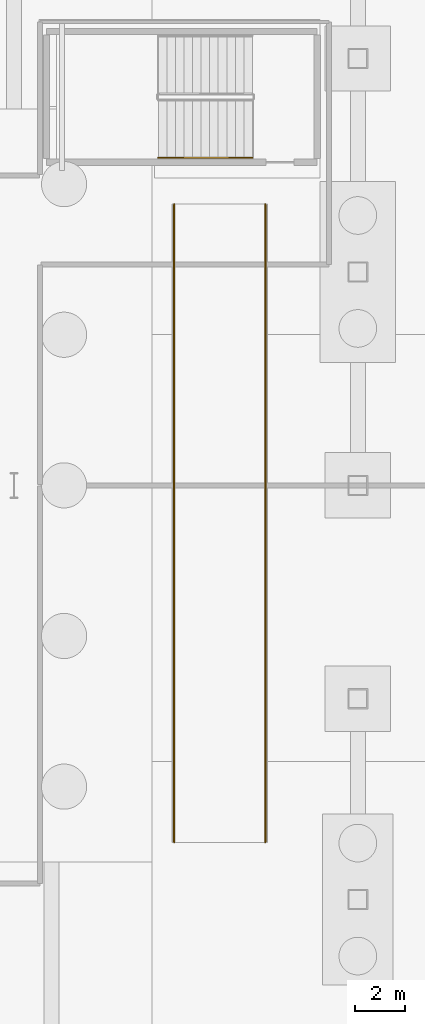
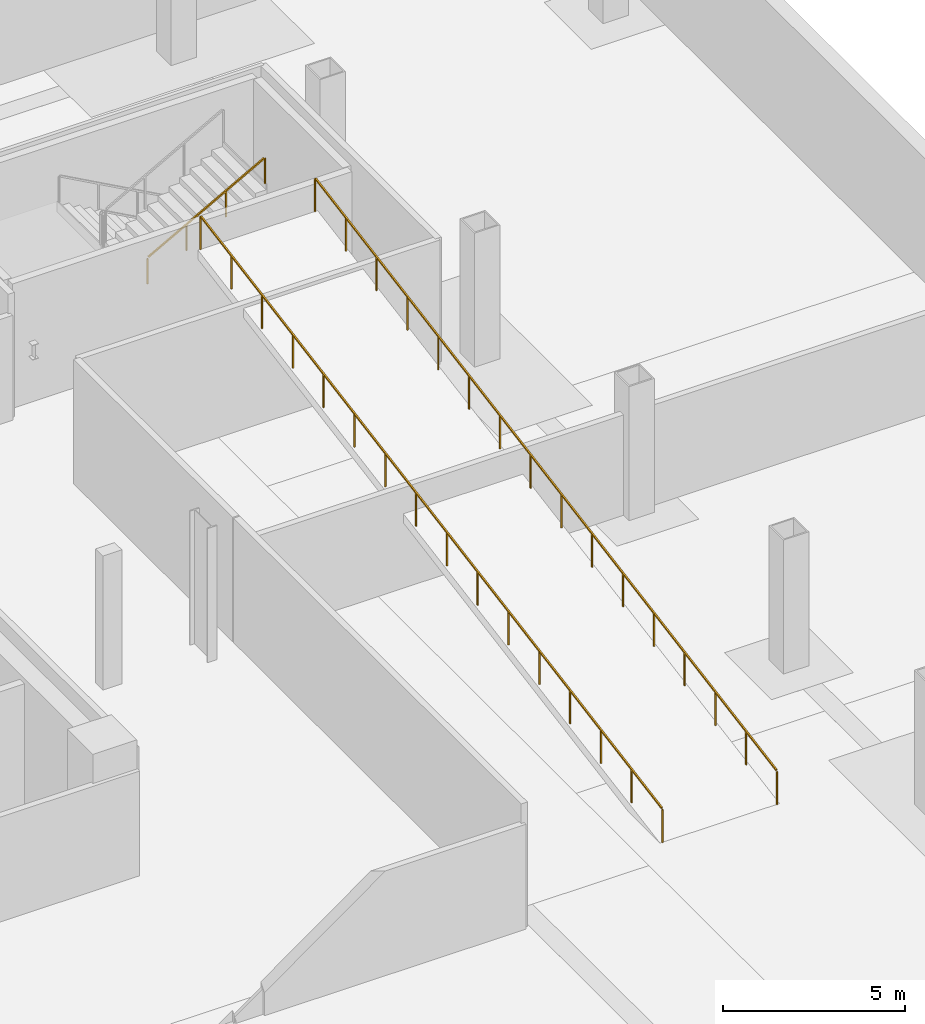
# One storey, part 13 of 15: 3 railings.
"""IFC4 building model written with IfcOpenShell, lengths in metres."""

from ifc_helpers import new_model, si_unit, direction, frame, origin, origin_2d, place, context, subcontext, project, spatial, rectangle, extrude, material, type_object, element, save


model = new_model("IFC4")

# Units and contexts
model_context = context("Model", 3, precision=1e-05, world=origin(), true_north=direction((0.0, 1.0)))
body_context = subcontext(model_context, "Body", "Model", "MODEL_VIEW")
ifc_project = project(units=[si_unit("LENGTHUNIT", "METRE"), si_unit("AREAUNIT", "SQUARE_METRE"), si_unit("VOLUMEUNIT", "CUBIC_METRE"), si_unit("PLANEANGLEUNIT", "RADIAN"), si_unit("MASSUNIT", "GRAM", prefix="KILO")], contexts=[model_context])

# Site, building, storey
site_placement = place(None, origin())
site = spatial("IfcSite", under=ifc_project, at=site_placement, CompositionType="ELEMENT")
building_placement = place(site_placement, origin())
building = spatial("IfcBuilding", under=site, at=building_placement, Name="Tharavind Bronze Gate", CompositionType="ELEMENT")
storey_placement = place(building_placement, frame((0.0, 0.0, -9.0)))
storey = spatial("IfcBuildingStorey", under=building, at=storey_placement, Name="B02", CompositionType="ELEMENT", Elevation=-9.0)

# Railings
ifc_material_1 = material(Name="Brushed Bronze Alloy", Category="metal")
railing_type_1 = type_object("IfcRailingType", Name="STAIR BRONZE HANDRAIL 900", PredefinedType="HANDRAIL", material=ifc_material_1)
railing_1_placement = place(storey_placement, frame((22.260009765625, 13.050048828125, 2.4375)))
element("IfcRailing", 1, at=railing_1_placement, inside=storey, type_object=railing_type_1, Name="B02 ST4 stair handrail 2", PredefinedType="HANDRAIL", context=body_context, shape_type="SweptSolid", body=[
    extrude(rectangle(XDim=0.048095703125, YDim=0.048095703125, at=origin_2d()), frame((0.028076171875, 0.0, 0.891357421875), z_axis=(0.875671045107, 0.0, 0.482908087281), x_axis=(0.0, 1.0, 0.0)), (0.0, 0.0, 1.0), 4.20703125),
    extrude(rectangle(XDim=0.0400390625, YDim=0.0400390625, at=origin_2d()), origin(), (0.0, 0.0, 1.0), 0.847900390625),
    extrude(rectangle(XDim=0.0400390625, YDim=0.0400390625, at=origin_2d()), frame((1.24658203125, 0.0, 0.6875)), (0.0, 0.0, 1.0), 0.847900390625),
    extrude(rectangle(XDim=0.0400390625, YDim=0.0400390625, at=origin_2d()), frame((2.493408203125, 0.0, 1.375)), (0.0, 0.0, 1.0), 0.847900390625),
    extrude(rectangle(XDim=0.0400390625, YDim=0.0400390625, at=origin_2d()), frame((3.739990234375, 0.0, 2.0625)), (0.0, 0.0, 1.0), 0.847900390625),
])
ifc_material_2 = material(Name="Bronze Cap & Laminated Glass", Category="glass")
railing_type_2 = type_object("IfcRailingType", Name="TERRACE GLASS GUARD RAILING 1150", PredefinedType="GUARDRAIL", material=ifc_material_2)
railing_2_placement = place(storey_placement, frame((22.8798828125, -14.219970703125, 0.0)))
element("IfcRailing", 2, at=railing_2_placement, inside=storey, type_object=railing_type_2, Name="Plant ramp R2 west flight guard railing", PredefinedType="GUARDRAIL", context=body_context, shape_type="SweptSolid", body=[
    extrude(rectangle(XDim=0.048095703125, YDim=0.048095703125, at=origin_2d()), frame((0.0, 0.031494140625, 1.13134765625), z_axis=(0.0, 0.984689731745, 0.174316184552), x_axis=(-1.0, 0.0, 0.0)), (0.0, 0.0, 1.0), 25.751220703125),
    extrude(rectangle(XDim=0.0400390625, YDim=0.0400390625, at=origin_2d()), origin(), (0.0, 0.0, 1.0), 1.097900390625),
    extrude(rectangle(XDim=0.0400390625, YDim=0.0400390625, at=origin_2d()), frame((0.0, 1.694580078125, 0.300048828125)), (0.0, 0.0, 1.0), 1.097900390625),
    extrude(rectangle(XDim=0.0400390625, YDim=0.0400390625, at=origin_2d()), frame((0.0, 3.389404296875, 0.60009765625)), (0.0, 0.0, 1.0), 1.097900390625),
    extrude(rectangle(XDim=0.0400390625, YDim=0.0400390625, at=origin_2d()), frame((0.0, 5.083984375, 0.89990234375)), (0.0, 0.0, 1.0), 1.097900390625),
    extrude(rectangle(XDim=0.0400390625, YDim=0.0400390625, at=origin_2d()), frame((0.0, 6.778564453125, 1.199951171875)), (0.0, 0.0, 1.0), 1.097900390625),
    extrude(rectangle(XDim=0.0400390625, YDim=0.0400390625, at=origin_2d()), frame((0.0, 8.473388671875, 1.5)), (0.0, 0.0, 1.0), 1.097900390625),
    extrude(rectangle(XDim=0.0400390625, YDim=0.0400390625, at=origin_2d()), frame((0.0, 10.16796875, 1.800048828125)), (0.0, 0.0, 1.0), 1.097900390625),
    extrude(rectangle(XDim=0.0400390625, YDim=0.0400390625, at=origin_2d()), frame((0.0, 11.862548828125, 2.10009765625)), (0.0, 0.0, 1.0), 1.097900390625),
    extrude(rectangle(XDim=0.0400390625, YDim=0.0400390625, at=origin_2d()), frame((0.0, 13.557373046875, 2.39990234375)), (0.0, 0.0, 1.0), 1.097900390625),
    extrude(rectangle(XDim=0.0400390625, YDim=0.0400390625, at=origin_2d()), frame((0.0, 15.251953125, 2.699951171875)), (0.0, 0.0, 1.0), 1.097900390625),
    extrude(rectangle(XDim=0.0400390625, YDim=0.0400390625, at=origin_2d()), frame((0.0, 16.946533203125, 3.0)), (0.0, 0.0, 1.0), 1.097900390625),
    extrude(rectangle(XDim=0.0400390625, YDim=0.0400390625, at=origin_2d()), frame((0.0, 18.641357421875, 3.300048828125)), (0.0, 0.0, 1.0), 1.097900390625),
    extrude(rectangle(XDim=0.0400390625, YDim=0.0400390625, at=origin_2d()), frame((0.0, 20.3359375, 3.60009765625)), (0.0, 0.0, 1.0), 1.097900390625),
    extrude(rectangle(XDim=0.0400390625, YDim=0.0400390625, at=origin_2d()), frame((0.0, 22.030517578125, 3.89990234375)), (0.0, 0.0, 1.0), 1.097900390625),
    extrude(rectangle(XDim=0.0400390625, YDim=0.0400390625, at=origin_2d()), frame((0.0, 23.725341796875, 4.199951171875)), (0.0, 0.0, 1.0), 1.097900390625),
    extrude(rectangle(XDim=0.0400390625, YDim=0.0400390625, at=origin_2d()), frame((0.0, 25.419921875, 4.5)), (0.0, 0.0, 1.0), 1.097900390625),
])
railing_3_placement = place(storey_placement, frame((26.52001953125, -14.219970703125, 0.0)))
element("IfcRailing", 3, at=railing_3_placement, inside=storey, type_object=railing_type_2, Name="Plant ramp R2 east flight guard railing", PredefinedType="GUARDRAIL", context=body_context, shape_type="SweptSolid", body=[
    extrude(rectangle(XDim=0.048095703125, YDim=0.048095703125, at=origin_2d()), frame((0.0, 0.031494140625, 1.13134765625), z_axis=(0.0, 0.984689731745, 0.174316184552), x_axis=(-1.0, 0.0, 0.0)), (0.0, 0.0, 1.0), 25.751220703125),
    extrude(rectangle(XDim=0.0400390625, YDim=0.0400390625, at=origin_2d()), origin(), (0.0, 0.0, 1.0), 1.097900390625),
    extrude(rectangle(XDim=0.0400390625, YDim=0.0400390625, at=origin_2d()), frame((0.0, 1.694580078125, 0.300048828125)), (0.0, 0.0, 1.0), 1.097900390625),
    extrude(rectangle(XDim=0.0400390625, YDim=0.0400390625, at=origin_2d()), frame((0.0, 3.389404296875, 0.60009765625)), (0.0, 0.0, 1.0), 1.097900390625),
    extrude(rectangle(XDim=0.0400390625, YDim=0.0400390625, at=origin_2d()), frame((0.0, 5.083984375, 0.89990234375)), (0.0, 0.0, 1.0), 1.097900390625),
    extrude(rectangle(XDim=0.0400390625, YDim=0.0400390625, at=origin_2d()), frame((0.0, 6.778564453125, 1.199951171875)), (0.0, 0.0, 1.0), 1.097900390625),
    extrude(rectangle(XDim=0.0400390625, YDim=0.0400390625, at=origin_2d()), frame((0.0, 8.473388671875, 1.5)), (0.0, 0.0, 1.0), 1.097900390625),
    extrude(rectangle(XDim=0.0400390625, YDim=0.0400390625, at=origin_2d()), frame((0.0, 10.16796875, 1.800048828125)), (0.0, 0.0, 1.0), 1.097900390625),
    extrude(rectangle(XDim=0.0400390625, YDim=0.0400390625, at=origin_2d()), frame((0.0, 11.862548828125, 2.10009765625)), (0.0, 0.0, 1.0), 1.097900390625),
    extrude(rectangle(XDim=0.0400390625, YDim=0.0400390625, at=origin_2d()), frame((0.0, 13.557373046875, 2.39990234375)), (0.0, 0.0, 1.0), 1.097900390625),
    extrude(rectangle(XDim=0.0400390625, YDim=0.0400390625, at=origin_2d()), frame((0.0, 15.251953125, 2.699951171875)), (0.0, 0.0, 1.0), 1.097900390625),
    extrude(rectangle(XDim=0.0400390625, YDim=0.0400390625, at=origin_2d()), frame((0.0, 16.946533203125, 3.0)), (0.0, 0.0, 1.0), 1.097900390625),
    extrude(rectangle(XDim=0.0400390625, YDim=0.0400390625, at=origin_2d()), frame((0.0, 18.641357421875, 3.300048828125)), (0.0, 0.0, 1.0), 1.097900390625),
    extrude(rectangle(XDim=0.0400390625, YDim=0.0400390625, at=origin_2d()), frame((0.0, 20.3359375, 3.60009765625)), (0.0, 0.0, 1.0), 1.097900390625),
    extrude(rectangle(XDim=0.0400390625, YDim=0.0400390625, at=origin_2d()), frame((0.0, 22.030517578125, 3.89990234375)), (0.0, 0.0, 1.0), 1.097900390625),
    extrude(rectangle(XDim=0.0400390625, YDim=0.0400390625, at=origin_2d()), frame((0.0, 23.725341796875, 4.199951171875)), (0.0, 0.0, 1.0), 1.097900390625),
    extrude(rectangle(XDim=0.0400390625, YDim=0.0400390625, at=origin_2d()), frame((0.0, 25.419921875, 4.5)), (0.0, 0.0, 1.0), 1.097900390625),
])

save(model, "model.ifc")
